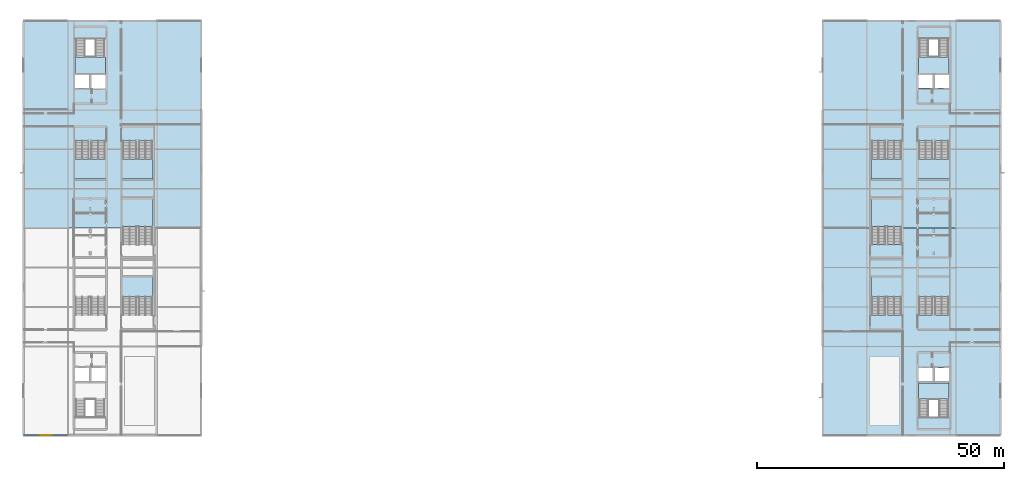
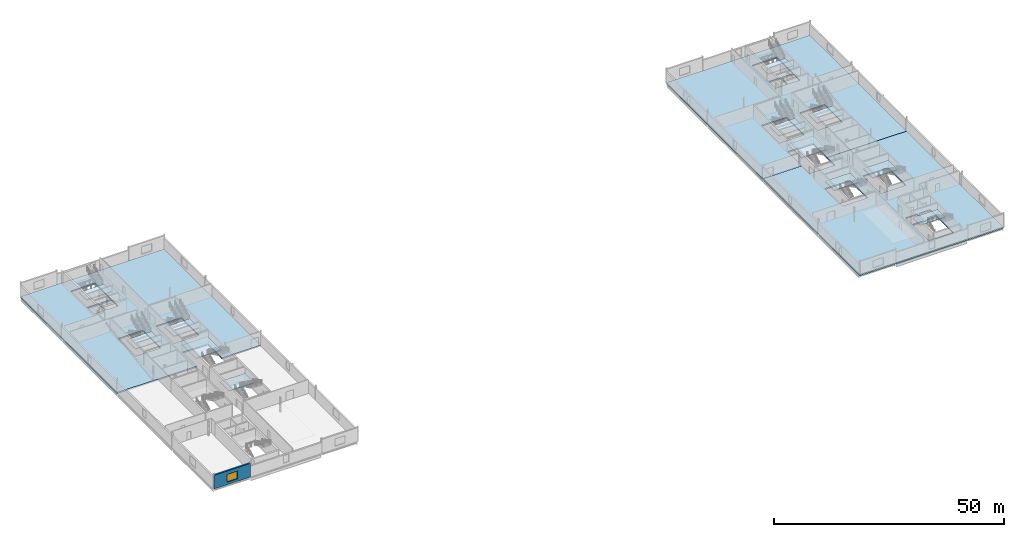
# One storey, part 18 of 35: 15 slabs, 1 wall, 1 window, 1 opening, 12 elements without a shape of their own.
"""IFC4 building model written with IfcOpenShell, lengths in metres."""

from ifc_helpers import new_model, si_unit, direction, frame, frame_2d, origin, place, context, subcontext, project, spatial, polyline, rectangle, outline, extrude, material, layer, layer_set, type_object, element, fill, aggregate, save


model = new_model("IFC4")

# Units and contexts
model_context = context("Model", 3, precision=1e-05, world=origin(), true_north=direction((0.0, 1.0)))
body_context = subcontext(model_context, "Body", "Model", "MODEL_VIEW")
ifc_project = project(units=[si_unit("LENGTHUNIT", "METRE"), si_unit("AREAUNIT", "SQUARE_METRE"), si_unit("VOLUMEUNIT", "CUBIC_METRE"), si_unit("PLANEANGLEUNIT", "RADIAN"), si_unit("MASSUNIT", "GRAM", prefix="KILO")], contexts=[model_context])

# Site, building, storey
site_placement = place(None, origin())
site = spatial("IfcSite", under=ifc_project, at=site_placement, CompositionType="ELEMENT")
building_placement = place(site_placement, origin())
building = spatial("IfcBuilding", under=site, at=building_placement, Name="Kisiwana Market Hall", CompositionType="ELEMENT")
storey_placement = place(building_placement, frame((0.0, 0.0, 57.89990234375)))
storey = spatial("IfcBuildingStorey", under=building, at=storey_placement, Name="L13", CompositionType="ELEMENT", Elevation=57.89990234375)

# Stair, slab
ifc_material_1 = material(Name="Concrete C32/40", Category="concrete")
stair_type_1 = type_object("IfcStairType", Name="ST-TWR-3900", PredefinedType="TWO_STRAIGHT_RUN_STAIR", material=ifc_material_1)
stair_1_placement = place(storey_placement, origin())
stair_1 = element("IfcStair", 1, at=stair_1_placement, inside=storey, type_object=stair_type_1, Name="Escape stair ST-W1-L13", PredefinedType="TWO_STRAIGHT_RUN_STAIR")
ifc_material_2 = material(Name="Concrete C32/40", Category="concrete")
ifc_layer_1 = layer(ifc_material_2, 0.239990234375)
ifc_layer_set_1 = layer_set([ifc_layer_1], Name="SL-LANDING-160")
slab_type_1 = type_object("IfcSlabType", Name="SL-LANDING-160", PredefinedType="LANDING", material=ifc_layer_set_1)
slab_1_placement = place(storey_placement, frame((0.0, 0.0, 1.710205078125)))
slab_1 = element("IfcSlab", 2, at=slab_1_placement, type_object=slab_type_1, Name="ST-W1-L13 landing 1 S-431", PredefinedType="LANDING", context=body_context, shape_type="SweptSolid", body=[
    extrude(outline(polyline([(10.405029296875, 91.35498046875), (16.594970703125, 91.35498046875), (16.594970703125, 94.666015625), (10.405029296875, 94.666015625), (10.405029296875, 91.35498046875)])), origin(), (0.0, 0.0, 1.0), 0.239990234375),
])
aggregate(stair_1, [slab_1])

stair_2_placement = place(storey_placement, origin())
stair_2 = element("IfcStair", 3, at=stair_2_placement, inside=storey, type_object=stair_type_1, Name="Escape stair ST-E2-L13", PredefinedType="TWO_STRAIGHT_RUN_STAIR")
slab_2_placement = place(storey_placement, frame((0.0, 0.0, 1.710205078125)))
slab_2 = element("IfcSlab", 4, at=slab_2_placement, type_object=slab_type_1, Name="ST-E2-L13 landing 1 S-425", PredefinedType="LANDING", context=body_context, shape_type="SweptSolid", body=[
    extrude(outline(polyline([(181.3798828125, 25.30908203125), (187.6201171875, 25.30908203125), (187.6201171875, 28.6201171875), (181.3798828125, 28.6201171875), (181.3798828125, 25.30908203125)])), origin(), (0.0, 0.0, 1.0), 0.239990234375),
])
aggregate(stair_2, [slab_2])

stair_3_placement = place(storey_placement, origin())
stair_3 = element("IfcStair", 5, at=stair_3_placement, inside=storey, type_object=stair_type_1, Name="Escape stair ST-E1-L13", PredefinedType="TWO_STRAIGHT_RUN_STAIR")
slab_3_placement = place(storey_placement, frame((0.0, 0.0, 1.710205078125)))
slab_3 = element("IfcSlab", 6, at=slab_3_placement, type_object=slab_type_1, Name="ST-E1-L13 landing 1 S-424", PredefinedType="LANDING", context=body_context, shape_type="SweptSolid", body=[
    extrude(outline(polyline([(181.3798828125, 91.3798828125), (187.6201171875, 91.3798828125), (187.6201171875, 94.69091796875), (181.3798828125, 94.69091796875), (181.3798828125, 91.3798828125)])), origin(), (0.0, 0.0, 1.0), 0.239990234375),
])
aggregate(stair_3, [slab_3])

ifc_material_3 = material(Name="Concrete C32/40", Category="concrete")
stair_type_2 = type_object("IfcStairType", Name="ST-ESC-3900", PredefinedType="TWO_STRAIGHT_RUN_STAIR", material=ifc_material_3)
stair_4_placement = place(storey_placement, origin())
stair_4 = element("IfcStair", 7, at=stair_4_placement, inside=storey, type_object=stair_type_2, Name="Escape stair ST-W4-L13", PredefinedType="TWO_STRAIGHT_RUN_STAIR")
slab_4_placement = place(storey_placement, frame((0.0, 0.0, 1.710205078125)))
slab_4 = element("IfcSlab", 8, at=slab_4_placement, type_object=slab_type_1, Name="ST-W4-L13 landing 1 S-434", PredefinedType="LANDING", context=body_context, shape_type="SweptSolid", body=[
    extrude(outline(polyline([(10.340087890625, 69.93994140625), (16.659912109375, 69.93994140625), (16.659912109375, 73.98046875), (10.340087890625, 73.98046875), (10.340087890625, 69.93994140625)])), origin(), (0.0, 0.0, 1.0), 0.239990234375),
])
aggregate(stair_4, [slab_4])

stair_5_placement = place(storey_placement, origin())
stair_5 = element("IfcStair", 9, at=stair_5_placement, inside=storey, type_object=stair_type_2, Name="Escape stair ST-E3-L13", PredefinedType="TWO_STRAIGHT_RUN_STAIR")
slab_5_placement = place(storey_placement, frame((0.0, 0.0, 1.710205078125)))
slab_5 = element("IfcSlab", 10, at=slab_5_placement, type_object=slab_type_1, Name="ST-E3-L13 landing 1 S-426", PredefinedType="LANDING", context=body_context, shape_type="SweptSolid", body=[
    extrude(outline(polyline([(181.340087890625, 46.01953125), (187.659912109375, 46.01953125), (187.659912109375, 50.06005859375), (181.340087890625, 50.06005859375), (181.340087890625, 46.01953125)])), origin(), (0.0, 0.0, 1.0), 0.239990234375),
])
aggregate(stair_5, [slab_5])

stair_6_placement = place(storey_placement, origin())
stair_6 = element("IfcStair", 11, at=stair_6_placement, inside=storey, type_object=stair_type_2, Name="Escape stair ST-E4-L13", PredefinedType="TWO_STRAIGHT_RUN_STAIR")
slab_6_placement = place(storey_placement, frame((0.0, 0.0, 1.710205078125)))
slab_6 = element("IfcSlab", 12, at=slab_6_placement, type_object=slab_type_1, Name="ST-E4-L13 landing 1 S-427", PredefinedType="LANDING", context=body_context, shape_type="SweptSolid", body=[
    extrude(outline(polyline([(181.340087890625, 69.93994140625), (187.659912109375, 69.93994140625), (187.659912109375, 73.98046875), (181.340087890625, 73.98046875), (181.340087890625, 69.93994140625)])), origin(), (0.0, 0.0, 1.0), 0.239990234375),
])
aggregate(stair_6, [slab_6])

stair_7_placement = place(storey_placement, origin())
stair_7 = element("IfcStair", 13, at=stair_7_placement, inside=storey, type_object=stair_type_2, Name="Escape stair ST-W7-L13", PredefinedType="TWO_STRAIGHT_RUN_STAIR")
slab_7_placement = place(storey_placement, frame((0.0, 0.0, 1.710205078125)))
slab_7 = element("IfcSlab", 14, at=slab_7_placement, type_object=slab_type_1, Name="ST-W7-L13 landing 1 S-436", PredefinedType="LANDING", context=body_context, shape_type="SweptSolid", body=[
    extrude(outline(polyline([(19.93994140625, 46.01953125), (26.260009765625, 46.01953125), (26.260009765625, 50.06005859375), (19.93994140625, 50.06005859375), (19.93994140625, 46.01953125)])), origin(), (0.0, 0.0, 1.0), 0.239990234375),
])
aggregate(stair_7, [slab_7])

stair_8_placement = place(storey_placement, origin())
stair_8 = element("IfcStair", 15, at=stair_8_placement, inside=storey, type_object=stair_type_2, Name="Escape stair ST-E7-L13", PredefinedType="TWO_STRAIGHT_RUN_STAIR")
slab_8_placement = place(storey_placement, frame((0.0, 0.0, 1.710205078125)))
slab_8 = element("IfcSlab", 16, at=slab_8_placement, type_object=slab_type_1, Name="ST-E7-L13 landing 1 S-429", PredefinedType="LANDING", context=body_context, shape_type="SweptSolid", body=[
    extrude(outline(polyline([(171.739990234375, 46.01953125), (178.06005859375, 46.01953125), (178.06005859375, 50.06005859375), (171.739990234375, 50.06005859375), (171.739990234375, 46.01953125)])), origin(), (0.0, 0.0, 1.0), 0.239990234375),
])
aggregate(stair_8, [slab_8])

stair_9_placement = place(storey_placement, origin())
stair_9 = element("IfcStair", 17, at=stair_9_placement, inside=storey, type_object=stair_type_2, Name="Escape stair ST-W8-L13", PredefinedType="TWO_STRAIGHT_RUN_STAIR")
slab_9_placement = place(storey_placement, frame((0.0, 0.0, 1.710205078125)))
slab_9 = element("IfcSlab", 18, at=slab_9_placement, type_object=slab_type_1, Name="ST-W8-L13 landing 1 S-437", PredefinedType="LANDING", context=body_context, shape_type="SweptSolid", body=[
    extrude(outline(polyline([(19.93994140625, 69.93994140625), (26.260009765625, 69.93994140625), (26.260009765625, 73.98046875), (19.93994140625, 73.98046875), (19.93994140625, 69.93994140625)])), origin(), (0.0, 0.0, 1.0), 0.239990234375),
])
aggregate(stair_9, [slab_9])

stair_10_placement = place(storey_placement, origin())
stair_10 = element("IfcStair", 19, at=stair_10_placement, inside=storey, type_object=stair_type_2, Name="Escape stair ST-E8-L13", PredefinedType="TWO_STRAIGHT_RUN_STAIR")
slab_10_placement = place(storey_placement, frame((0.0, 0.0, 1.710205078125)))
slab_10 = element("IfcSlab", 20, at=slab_10_placement, type_object=slab_type_1, Name="ST-E8-L13 landing 1 S-430", PredefinedType="LANDING", context=body_context, shape_type="SweptSolid", body=[
    extrude(outline(polyline([(171.739990234375, 69.93994140625), (178.06005859375, 69.93994140625), (178.06005859375, 73.98046875), (171.739990234375, 73.98046875), (171.739990234375, 69.93994140625)])), origin(), (0.0, 0.0, 1.0), 0.239990234375),
])
aggregate(stair_10, [slab_10])

stair_11_placement = place(storey_placement, origin())
stair_11 = element("IfcStair", 21, at=stair_11_placement, inside=storey, type_object=stair_type_2, Name="Escape stair ST-W5-L13", PredefinedType="TWO_STRAIGHT_RUN_STAIR")
slab_11_placement = place(storey_placement, frame((0.0, 0.0, 1.710205078125)))
slab_11 = element("IfcSlab", 22, at=slab_11_placement, type_object=slab_type_1, Name="ST-W5-L13 landing 1 S-435", PredefinedType="LANDING", context=body_context, shape_type="SweptSolid", body=[
    extrude(outline(polyline([(19.93994140625, 60.299560546875), (26.260009765625, 60.299560546875), (26.260009765625, 66.179931640625), (19.93994140625, 66.179931640625), (19.93994140625, 60.299560546875)])), origin(), (0.0, 0.0, 1.0), 0.239990234375),
])
aggregate(stair_11, [slab_11])

stair_12_placement = place(storey_placement, origin())
stair_12 = element("IfcStair", 23, at=stair_12_placement, inside=storey, type_object=stair_type_2, Name="Escape stair ST-E5-L13", PredefinedType="TWO_STRAIGHT_RUN_STAIR")
slab_12_placement = place(storey_placement, frame((0.0, 0.0, 1.710205078125)))
slab_12 = element("IfcSlab", 24, at=slab_12_placement, type_object=slab_type_1, Name="ST-E5-L13 landing 1 S-428", PredefinedType="LANDING", context=body_context, shape_type="SweptSolid", body=[
    extrude(outline(polyline([(171.739990234375, 60.299560546875), (178.06005859375, 60.299560546875), (178.06005859375, 66.179931640625), (171.739990234375, 66.179931640625), (171.739990234375, 60.299560546875)])), origin(), (0.0, 0.0, 1.0), 0.239990234375),
])
aggregate(stair_12, [slab_12])

# Slabs
ifc_material_4 = material(Name="Concrete C32/40", Category="concrete")
ifc_layer_2 = layer(ifc_material_4, 0.35498046875)
ifc_layer_set_2 = layer_set([ifc_layer_2], Name="SL-OFF-290")
slab_type_2 = type_object("IfcSlabType", Name="SL-OFF-290", PredefinedType="FLOOR", material=ifc_layer_set_2)
slab_13_placement = place(storey_placement, frame((0.0, 0.0, -0.35498046875)))
element("IfcSlab", 25, at=slab_13_placement, inside=storey, type_object=slab_type_2, Name="Structural slab S-421", PredefinedType="FLOOR", context=body_context, shape_type="SweptSolid", body=[
    extrude(outline(polyline([(0.0, 60.0), (19.9599609375, 60.0), (19.9599609375, 66.159912109375), (26.239990234375, 66.159912109375), (26.239990234375, 60.0), (36.0, 60.0), (36.0, 102.0), (0.0, 102.0), (0.0, 60.0)]), holes=[polyline([(10.425048828125, 91.375), (16.574951171875, 91.375), (16.574951171875, 98.324951171875), (10.425048828125, 98.324951171875), (10.425048828125, 91.375)]), polyline([(10.425048828125, 88.324951171875), (13.340087890625, 88.324951171875), (13.340087890625, 91.054931640625), (10.425048828125, 91.054931640625), (10.425048828125, 88.324951171875)]), polyline([(13.659912109375, 88.324951171875), (16.574951171875, 88.324951171875), (16.574951171875, 91.054931640625), (13.659912109375, 91.054931640625), (13.659912109375, 88.324951171875)]), polyline([(10.360107421875, 69.9599609375), (16.639892578125, 69.9599609375), (16.639892578125, 77.6201171875), (10.360107421875, 77.6201171875), (10.360107421875, 69.9599609375)]), polyline([(19.9599609375, 69.9599609375), (26.239990234375, 69.9599609375), (26.239990234375, 77.6201171875), (19.9599609375, 77.6201171875), (19.9599609375, 69.9599609375)])]), origin(), (0.0, 0.0, 1.0), 0.35498046875),
])
slab_14_placement = place(storey_placement, frame((0.0, 0.0, -0.35498046875)))
element("IfcSlab", 26, at=slab_14_placement, inside=storey, type_object=slab_type_2, Name="Structural slab S-422", PredefinedType="FLOOR", context=body_context, shape_type="SweptSolid", body=[
    extrude(outline(polyline([(162.0, 18.0), (198.0, 18.0), (198.0, 60.0), (178.0400390625, 60.0), (178.0400390625, 56.659912109375), (171.760009765625, 56.659912109375), (171.760009765625, 60.0), (162.0, 60.0), (162.0, 18.0)]), holes=[polyline([(181.39990234375, 21.64990234375), (187.60009765625, 21.64990234375), (187.60009765625, 28.60009765625), (181.39990234375, 28.60009765625), (181.39990234375, 21.64990234375)]), polyline([(181.39990234375, 28.919921875), (184.340087890625, 28.919921875), (184.340087890625, 31.64990234375), (181.39990234375, 31.64990234375), (181.39990234375, 28.919921875)]), polyline([(184.659912109375, 28.919921875), (187.60009765625, 28.919921875), (187.60009765625, 31.64990234375), (184.659912109375, 31.64990234375), (184.659912109375, 28.919921875)]), polyline([(181.360107421875, 42.3798828125), (187.639892578125, 42.3798828125), (187.639892578125, 50.0400390625), (181.360107421875, 50.0400390625), (181.360107421875, 42.3798828125)]), polyline([(171.760009765625, 42.3798828125), (178.0400390625, 42.3798828125), (178.0400390625, 50.0400390625), (171.760009765625, 50.0400390625), (171.760009765625, 42.3798828125)])]), origin(), (0.0, 0.0, 1.0), 0.35498046875),
])
slab_15_placement = place(storey_placement, frame((0.0, 0.0, -0.35498046875)))
element("IfcSlab", 27, at=slab_15_placement, inside=storey, type_object=slab_type_2, Name="Structural slab S-423", PredefinedType="FLOOR", context=body_context, shape_type="SweptSolid", body=[
    extrude(outline(polyline([(162.0, 60.0), (171.760009765625, 60.0), (171.760009765625, 66.159912109375), (178.0400390625, 66.159912109375), (178.0400390625, 60.0), (198.0, 60.0), (198.0, 102.0), (162.0, 102.0), (162.0, 60.0)]), holes=[polyline([(181.39990234375, 91.39990234375), (187.60009765625, 91.39990234375), (187.60009765625, 98.35009765625), (181.39990234375, 98.35009765625), (181.39990234375, 91.39990234375)]), polyline([(181.39990234375, 88.35009765625), (184.340087890625, 88.35009765625), (184.340087890625, 91.080078125), (181.39990234375, 91.080078125), (181.39990234375, 88.35009765625)]), polyline([(184.659912109375, 88.35009765625), (187.60009765625, 88.35009765625), (187.60009765625, 91.080078125), (184.659912109375, 91.080078125), (184.659912109375, 88.35009765625)]), polyline([(181.360107421875, 69.9599609375), (187.639892578125, 69.9599609375), (187.639892578125, 77.6201171875), (181.360107421875, 77.6201171875), (181.360107421875, 69.9599609375)]), polyline([(171.760009765625, 69.9599609375), (178.0400390625, 69.9599609375), (178.0400390625, 77.6201171875), (171.760009765625, 77.6201171875), (171.760009765625, 69.9599609375)])]), origin(), (0.0, 0.0, 1.0), 0.35498046875),
])

# Wall, opening, window
ifc_material_5 = material(Name="Concrete C40/50 precast", Category="concrete")
ifc_layer_3 = layer(ifc_material_5, 0.364990234375)
ifc_layer_set_3 = layer_set([ifc_layer_3], Name="WL-EXT-365")
wall_type = type_object("IfcWallType", Name="WL-EXT-365", PredefinedType="STANDARD", material=ifc_layer_set_3)
wall_placement = place(storey_placement, frame((0.010009765625, 18.0, 0.0), z_axis=(0.0, 0.0, 1.0), x_axis=(1.0, 0.0, 0.0)))
wall = element("IfcWall", 28, at=wall_placement, inside=storey, type_object=wall_type, Name="Exterior wall W-3133", PredefinedType="STANDARD", context=body_context, shape_type="SweptSolid", body=[
    extrude(rectangle(XDim=8.97998046875, YDim=0.364990234375, at=frame_2d((4.489990234375, 0.0))), origin(), (0.0, 0.0, 1.0), 3.655029296875),
])
opening_placement = place(wall_placement, frame((3.18994140625, 0.0, 0.699951171875)))
opening = element("IfcOpeningElement", 29, at=opening_placement, cuts=wall, Name="Opening WN-13", PredefinedType="OPENING", context=body_context, shape_type="SweptSolid", body=[
    extrude(rectangle(XDim=2.60009765625, YDim=2.0, at=frame_2d((1.300048828125, 1.0))), frame((0.0, 0.1943359375, 0.0), z_axis=(0.0, -1.0, 0.0), x_axis=(1.0, 0.0, 0.0)), (0.0, 0.0, 1.0), 0.388916015625),
])
ifc_material_6 = material(Name="Double-glazed solar-control low-E IGU", Category="glass")
window_type = type_object("IfcWindowType", Name="WN-OFFC-2600x2000", PartitioningType="SINGLE_PANEL", PredefinedType="WINDOW", material=ifc_material_6)
window_placement = place(opening_placement, origin())
window = element("IfcWindow", 30, at=window_placement, inside=storey, type_object=window_type, Name="Exterior window WN-366", OverallHeight=2.0, OverallWidth=2.60009765625, PartitioningType="SINGLE_PANEL", PredefinedType="WINDOW", context=body_context, shape_type="SweptSolid", body=[
    extrude(rectangle(XDim=2.60009765625, YDim=2.0, at=frame_2d((1.300048828125, 1.0))), frame((0.0, 0.030029296875, 0.0), z_axis=(0.0, -1.0, 0.0), x_axis=(1.0, 0.0, 0.0)), (0.0, 0.0, 1.0), 0.06005859375),
])
fill(opening, window)

save(model, "model.ifc")
